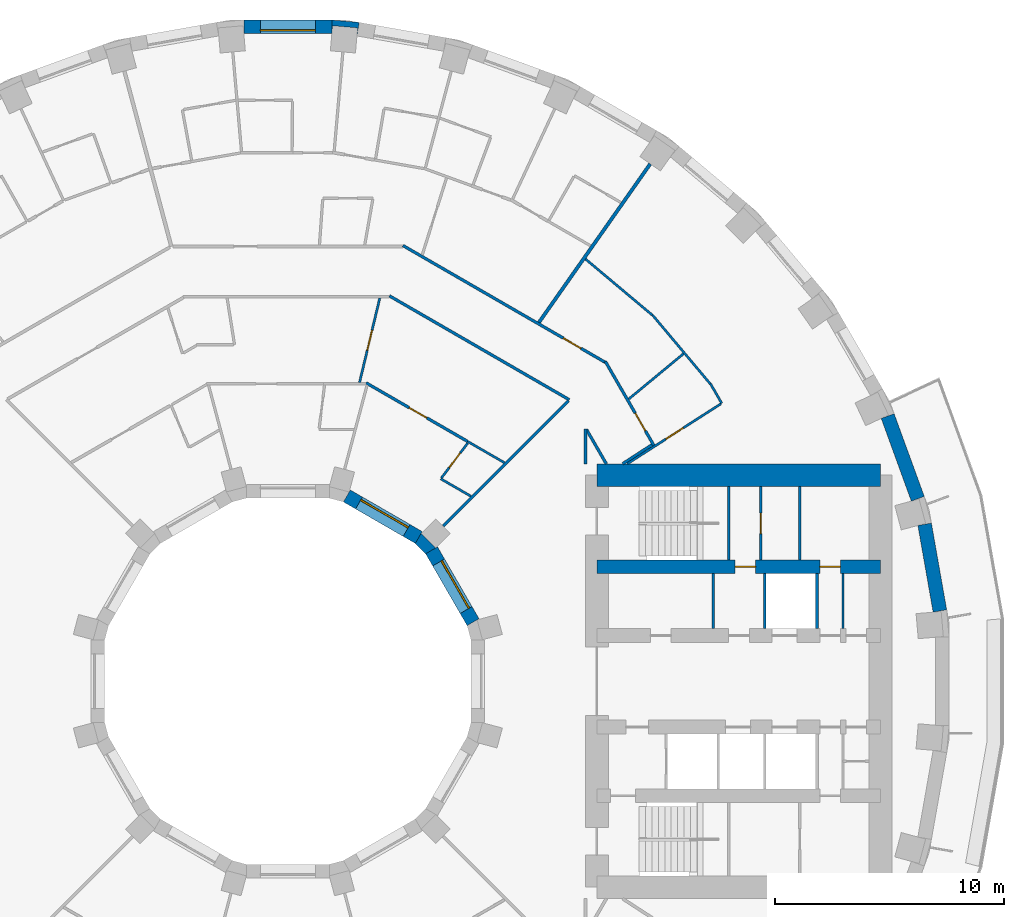
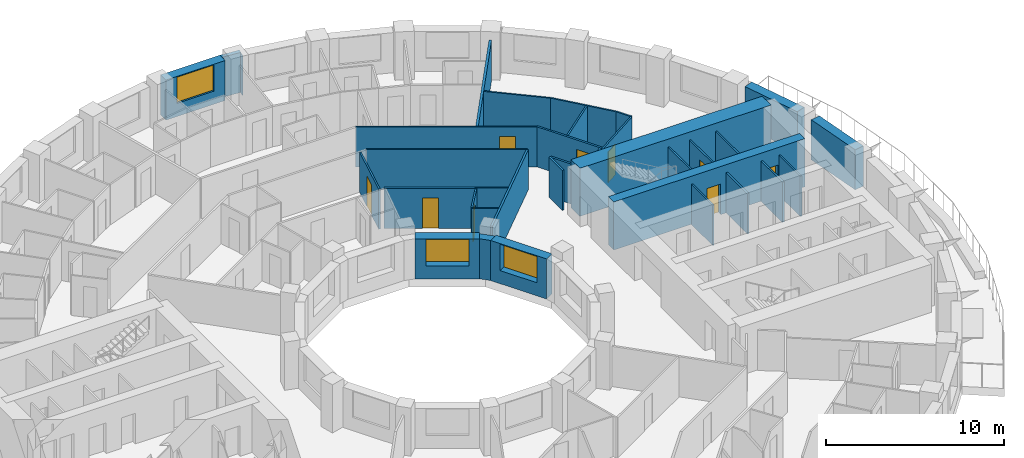
# One storey, part 11 of 14: 34 walls, 9 doors, 3 windows, 12 openings.
"""IFC4 building model written with IfcOpenShell, lengths in metres."""

from ifc_helpers import new_model, si_unit, direction, frame, frame_2d, origin, place, context, subcontext, project, spatial, polyline, rectangle, outline, extrude, material, layer, layer_set, type_object, element, fill, save


model = new_model("IFC4")

# Units and contexts
model_context = context("Model", 3, precision=1e-05, world=origin(), true_north=direction((0.0, 1.0)))
body_context = subcontext(model_context, "Body", "Model", "MODEL_VIEW")
ifc_project = project(units=[si_unit("LENGTHUNIT", "METRE"), si_unit("AREAUNIT", "SQUARE_METRE"), si_unit("VOLUMEUNIT", "CUBIC_METRE"), si_unit("PLANEANGLEUNIT", "RADIAN"), si_unit("MASSUNIT", "GRAM", prefix="KILO")], contexts=[model_context])

# Site, building, storey
site_placement = place(None, origin())
site = spatial("IfcSite", under=ifc_project, at=site_placement, CompositionType="ELEMENT")
building_placement = place(site_placement, origin())
building = spatial("IfcBuilding", under=site, at=building_placement, Name="Saqina Gate Tower", CompositionType="ELEMENT")
storey_placement = place(building_placement, frame((0.0, 0.0, 46.10009765625)))
storey = spatial("IfcBuildingStorey", under=building, at=storey_placement, Name="L12", CompositionType="ELEMENT", Elevation=46.10009765625)

# Walls
ifc_material_1 = material(Name="Brick masonry (red)", Category="masonry")
wall_type_1 = type_object("IfcWallType", Name="BRICK PIER COPING RED", PredefinedType="SOLIDWALL", material=ifc_material_1)
wall_1_placement = place(storey_placement, origin())
element("IfcWall", 1, at=wall_1_placement, inside=storey, type_object=wall_type_1, Name="Pier cap L12 column 9", PredefinedType="SOLIDWALL", context=body_context, shape_type="SweptSolid", body=[
    extrude(outline(polyline([(3.122802734375, 28.78466796875), (1.9228515625, 28.8896484375), (1.9228515625, 28.28955078125), (1.95361328125, 28.638671875), (3.04931640625, 28.54296875), (3.018798828125, 28.19384765625), (3.122802734375, 28.78466796875)])), origin(), (0.0, 0.0, 1.0), 2.75),
])
ifc_material_2 = material(Name="Gypsum board on steel studs", Category="steel")
ifc_layer_1 = layer(ifc_material_2, 0.10009765625)
ifc_layer_set_1 = layer_set([ifc_layer_1], Name="CORE PARTITION")
wall_type_2 = type_object("IfcWallType", Name="CORE PARTITION", PredefinedType="PARTITIONING", material=ifc_layer_set_1)
for number, where, z_axis, x_axis, name in (
    (2, (18.582763671875, 2.300048828125, 0.0), (0.0, 0.0, 1.0), (0.0, 1.0, 0.0), "L12-CP-E01"),
    (3, (24.260009765625, 2.300048828125, 0.0), (0.0, 0.0, 1.0), (0.0, 1.0, 0.0), "L12-CP-E04"),
):
    element("IfcWall", number, at=place(storey_placement, frame(where, z_axis=z_axis, x_axis=x_axis)), inside=storey, type_object=wall_type_2, Name=name, PredefinedType="PARTITIONING", context=body_context, shape_type="SweptSolid", body=[
        extrude(rectangle(XDim=2.39990234375, YDim=0.10009765625, at=frame_2d((1.199951171875, 0.0))), origin(), (0.0, 0.0, 1.0), 2.75),
    ])

# Wall, opening, door
wall_2_placement = place(storey_placement, frame((20.65771484375, 5.300048828125, 0.0), z_axis=(0.0, 0.0, 1.0), x_axis=(0.0, 1.0, 0.0)))
wall_2 = element("IfcWall", 4, at=wall_2_placement, inside=storey, type_object=wall_type_2, Name="L12-CP-E12", PredefinedType="PARTITIONING", context=body_context, shape_type="SweptSolid", body=[
    extrude(rectangle(XDim=3.199951171875, YDim=0.10009765625, at=frame_2d((1.60009765625, 0.0))), origin(), (0.0, 0.0, 1.0), 2.75),
])
opening_1_placement = place(wall_2_placement, frame((1.14990234375, 0.0, 0.0)))
opening_1 = element("IfcOpeningElement", 5, at=opening_1_placement, cuts=wall_2, Name="Opening G03-D97", PredefinedType="OPENING", context=body_context, shape_type="SweptSolid", body=[
    extrude(rectangle(XDim=0.89990234375, YDim=2.10009765625, at=frame_2d((0.449951171875, 1.050048828125))), frame((0.0, 0.06201171875, 0.0), z_axis=(0.0, -1.0, 0.0), x_axis=(1.0, 0.0, 0.0)), (0.0, 0.0, 1.0), 0.1240234375),
])
ifc_material_3 = material(Name="Steel-framed fire door leaf, EI 60", Category="steel")
door_type_1 = type_object("IfcDoorType", Name="SERVICE ROOM DOOR 900", OperationType="SINGLE_SWING_LEFT", PredefinedType="DOOR", material=ifc_material_3)
door_1_placement = place(opening_1_placement, frame((0.89990234375, 0.0, 0.0), z_axis=(0.0, 0.0, 1.0), x_axis=(-1.0, 0.0, 0.0)))
door_1 = element("IfcDoor", 6, at=door_1_placement, inside=storey, type_object=door_type_1, Name="L12-CD-E08", OperationType="SINGLE_SWING_RIGHT", OverallHeight=2.10009765625, OverallWidth=0.89990234375, PredefinedType="DOOR", context=body_context, shape_type="SweptSolid", body=[
    extrude(rectangle(XDim=0.89990234375, YDim=2.10009765625, at=frame_2d((0.449951171875, 1.050048828125))), frame((0.0, 0.02490234375, 0.0), z_axis=(0.0, -1.0, 0.0), x_axis=(1.0, 0.0, 0.0)), (0.0, 0.0, 1.0), 0.050048828125),
])
fill(opening_1, door_1)

# Wall
wall_3_placement = place(storey_placement, frame((22.360107421875, 5.300048828125, 0.0), z_axis=(0.0, 0.0, 1.0), x_axis=(0.0, 1.0, 0.0)))
element("IfcWall", 7, at=wall_3_placement, inside=storey, type_object=wall_type_2, Name="L12-CP-E13", PredefinedType="PARTITIONING", context=body_context, shape_type="SweptSolid", body=[
    extrude(rectangle(XDim=3.199951171875, YDim=0.10009765625, at=frame_2d((1.60009765625, 0.0))), origin(), (0.0, 0.0, 1.0), 2.75),
])

# Wall, opening, window
ifc_material_4 = material(Name="Brick masonry (red)", Category="masonry")
ifc_layer_2 = layer(ifc_material_4, 0.60009765625)
ifc_layer_set_2 = layer_set([ifc_layer_2], Name="FW-BRICK-RED")
wall_type_3 = type_object("IfcWallType", Name="FW-BRICK-RED", PredefinedType="SOLIDWALL", material=ifc_layer_set_2)
wall_4_placement = place(storey_placement, frame((1.9228515625, 28.589599609375, 0.0), z_axis=(0.0, 0.0, 1.0), x_axis=(-1.0, 0.0, 0.0)))
wall_4 = element("IfcWall", 8, at=wall_4_placement, inside=storey, type_object=wall_type_3, Name="Facade wall L12 facet 9", PredefinedType="SOLIDWALL", context=body_context, shape_type="SweptSolid", body=[
    extrude(rectangle(XDim=3.845703125, YDim=0.60009765625, at=frame_2d((1.9228515625, 0.0))), origin(), (0.0, 0.0, 1.0), 2.75),
])
opening_2_placement = place(wall_4_placement, frame((0.722900390625, 0.0, 0.89990234375)))
opening_2 = element("IfcOpeningElement", 9, at=opening_2_placement, cuts=wall_4, Name="Opening G03-W07", PredefinedType="OPENING", context=body_context, shape_type="SweptSolid", body=[
    extrude(rectangle(XDim=2.39990234375, YDim=1.800048828125, at=frame_2d((1.199951171875, 0.89990234375))), frame((0.0, 0.31201171875, 0.0), z_axis=(0.0, -1.0, 0.0), x_axis=(1.0, 0.0, 0.0)), (0.0, 0.0, 1.0), 0.6240234375),
])
ifc_material_5 = material(Name="Aluminium glazing", Category="aluminium")
window_type_1 = type_object("IfcWindowType", Name="WN-A", PartitioningType="SINGLE_PANEL", PredefinedType="WINDOW", material=ifc_material_5)
window_1_placement = place(opening_2_placement, origin())
window_1 = element("IfcWindow", 10, at=window_1_placement, inside=storey, type_object=window_type_1, Name="Window L12 facet 9", OverallHeight=1.800048828125, OverallWidth=2.39990234375, PartitioningType="SINGLE_PANEL", PredefinedType="WINDOW", context=body_context, shape_type="SweptSolid", body=[
    extrude(rectangle(XDim=2.39990234375, YDim=1.800048828125, at=frame_2d((1.199951171875, 0.89990234375))), frame((0.0, 0.179931640625, 0.0), z_axis=(0.0, -1.0, 0.0), x_axis=(1.0, 0.0, 0.0)), (0.0, 0.0, 1.0), 0.06005859375),
])
fill(opening_2, window_1)

# Walls
ifc_material_6 = material(Name="Glazed ceramic tile", Category="ceramic")
ifc_layer_3 = layer(ifc_material_6, 0.60009765625)
ifc_layer_set_3 = layer_set([ifc_layer_3], Name="FW-TILE")
wall_type_4 = type_object("IfcWallType", Name="FW-TILE", PredefinedType="SOLIDWALL", material=ifc_layer_set_3)
wall_5_placement = place(storey_placement, frame((28.4892578125, 3.07080078125, 0.0), z_axis=(0.0, 0.0, 1.0), x_axis=(-0.173687553279, 0.984800809218, 0.0)))
element("IfcWall", 11, at=wall_5_placement, inside=storey, type_object=wall_type_4, Name="Facade wall L12 facet 1", PredefinedType="SOLIDWALL", context=body_context, shape_type="SweptSolid", body=[
    extrude(rectangle(XDim=3.845703125, YDim=0.60009765625, at=frame_2d((1.9228515625, 0.0))), origin(), (0.0, 0.0, 1.0), 2.75),
])
ifc_material_7 = material(Name="Glazed ceramic tile (dark blue)", Category="ceramic")
ifc_layer_4 = layer(ifc_material_7, 0.60009765625)
ifc_layer_set_4 = layer_set([ifc_layer_4], Name="FW-TILE-CB")
wall_type_5 = type_object("IfcWallType", Name="FW-TILE-CB", PredefinedType="SOLIDWALL", material=ifc_layer_set_4)
wall_6_placement = place(storey_placement, frame((27.523193359375, 7.97119140625, 0.0), z_axis=(0.0, 0.0, 1.0), x_axis=(-0.342028474173, 0.939689588564, 0.0)))
element("IfcWall", 12, at=wall_6_placement, inside=storey, type_object=wall_type_5, Name="Facade wall L12 facet 2", PredefinedType="SOLIDWALL", context=body_context, shape_type="SweptSolid", body=[
    extrude(rectangle(XDim=3.845947265625, YDim=0.60009765625, at=frame_2d((1.9228515625, 0.0))), origin(), (0.0, 0.0, 1.0), 2.75),
])

# Wall, opening, window
ifc_material_8 = material(Name="Glazed ceramic tile", Category="ceramic")
ifc_layer_5 = layer(ifc_material_8, 0.60009765625)
ifc_layer_set_5 = layer_set([ifc_layer_5], Name="IW-TILE")
wall_type_6 = type_object("IfcWallType", Name="IW-TILE", PredefinedType="SOLIDWALL", material=ifc_layer_set_5)
wall_7_placement = place(storey_placement, frame((8.09423828125, 2.580322265625, 0.0), z_axis=(0.0, 0.0, 1.0), x_axis=(-0.499992569217, 0.866029693906, 0.0)))
wall_7 = element("IfcWall", 13, at=wall_7_placement, inside=storey, type_object=wall_type_6, Name="Well wall L12 facet 1", PredefinedType="SOLIDWALL", context=body_context, shape_type="SweptSolid", body=[
    extrude(rectangle(XDim=3.625, YDim=0.60009765625, at=frame_2d((1.8125, 0.0))), origin(), (0.0, 0.0, 1.0), 2.75),
])
opening_3_placement = place(wall_7_placement, frame((0.612548828125, 0.0, 0.89990234375)))
opening_3 = element("IfcOpeningElement", 14, at=opening_3_placement, cuts=wall_7, Name="Opening G03-W26", PredefinedType="OPENING", context=body_context, shape_type="SweptSolid", body=[
    extrude(rectangle(XDim=2.39990234375, YDim=1.800048828125, at=frame_2d((1.199951171875, 0.89990234375))), frame((0.0, 0.31201171875, 0.0), z_axis=(0.0, -1.0, 0.0), x_axis=(1.0, 0.0, 0.0)), (0.0, 0.0, 1.0), 0.6240234375),
])
ifc_material_9 = material(Name="Aluminium glazing", Category="aluminium")
window_type_2 = type_object("IfcWindowType", Name="WN-W", PartitioningType="SINGLE_PANEL", PredefinedType="WINDOW", material=ifc_material_9)
window_2_placement = place(opening_3_placement, origin())
window_2 = element("IfcWindow", 15, at=window_2_placement, inside=storey, type_object=window_type_2, Name="Well window L12 facet 1", OverallHeight=1.800048828125, OverallWidth=2.39990234375, PartitioningType="SINGLE_PANEL", PredefinedType="WINDOW", context=body_context, shape_type="SweptSolid", body=[
    extrude(rectangle(XDim=2.39990234375, YDim=1.800048828125, at=frame_2d((1.199951171875, 0.89990234375))), frame((0.0, -0.119873046875, 0.0), z_axis=(0.0, -1.0, 0.0), x_axis=(1.0, 0.0, 0.0)), (0.0, 0.0, 1.0), 0.06005859375),
])
fill(opening_3, window_2)

wall_8_placement = place(storey_placement, frame((5.7197265625, 6.28173828125, 0.0), z_axis=(0.0, 0.0, 1.0), x_axis=(-0.866029693906, 0.499992569217, 0.0)))
wall_8 = element("IfcWall", 16, at=wall_8_placement, inside=storey, type_object=wall_type_6, Name="Well wall L12 facet 2", PredefinedType="SOLIDWALL", context=body_context, shape_type="SweptSolid", body=[
    extrude(rectangle(XDim=3.625, YDim=0.60009765625, at=frame_2d((1.8125, 0.0))), origin(), (0.0, 0.0, 1.0), 2.75),
])
opening_4_placement = place(wall_8_placement, frame((0.612548828125, 0.0, 0.89990234375)))
opening_4 = element("IfcOpeningElement", 17, at=opening_4_placement, cuts=wall_8, Name="Opening G03-W27", PredefinedType="OPENING", context=body_context, shape_type="SweptSolid", body=[
    extrude(rectangle(XDim=2.39990234375, YDim=1.800048828125, at=frame_2d((1.199951171875, 0.89990234375))), frame((0.0, 0.31201171875, 0.0), z_axis=(0.0, -1.0, 0.0), x_axis=(1.0, 0.0, 0.0)), (0.0, 0.0, 1.0), 0.6240234375),
])
window_3_placement = place(opening_4_placement, origin())
window_3 = element("IfcWindow", 18, at=window_3_placement, inside=storey, type_object=window_type_2, Name="Well window L12 facet 2", OverallHeight=1.800048828125, OverallWidth=2.39990234375, PartitioningType="SINGLE_PANEL", PredefinedType="WINDOW", context=body_context, shape_type="SweptSolid", body=[
    extrude(rectangle(XDim=2.39990234375, YDim=1.800048828125, at=frame_2d((1.199951171875, 0.89990234375))), frame((0.0, -0.119873046875, 0.0), z_axis=(0.0, -1.0, 0.0), x_axis=(1.0, 0.0, 0.0)), (0.0, 0.0, 1.0), 0.06005859375),
])
fill(opening_4, window_3)

# Walls
ifc_material_10 = material(Name="Gypsum board on steel studs, 100 mm", Category="steel")
ifc_layer_6 = layer(ifc_material_10, 0.10009765625)
ifc_layer_set_6 = layer_set([ifc_layer_6], Name="PARTITION 100")
wall_type_7 = type_object("IfcWallType", Name="PARTITION 100", PredefinedType="PARTITIONING", material=ifc_layer_set_6)
wall_9_placement = place(storey_placement, frame((18.468017578125, 12.9931640625, 0.0), z_axis=(0.0, 0.0, 1.0), x_axis=(0.499060839642, -0.866566949713, 0.0)))
element("IfcWall", 19, at=wall_9_placement, inside=storey, type_object=wall_type_7, Name="PARTITION PW3-20", PredefinedType="PARTITIONING", context=body_context, shape_type="SweptSolid", body=[
    extrude(rectangle(XDim=0.97998046875, YDim=0.10009765625, at=frame_2d((0.489990234375, 0.0))), origin(), (0.0, 0.0, 1.0), 2.75),
])
wall_10_placement = place(storey_placement, frame((15.930419921875, 16.001953125, 0.0), z_axis=(0.0, 0.0, 1.0), x_axis=(0.642925836876, -0.76592843548, 0.0)))
element("IfcWall", 20, at=wall_10_placement, inside=storey, type_object=wall_type_7, Name="PARTITION PW3-31", PredefinedType="PARTITIONING", context=body_context, shape_type="SweptSolid", body=[
    extrude(rectangle(XDim=3.93603515625, YDim=0.10009765625, at=frame_2d((1.968017578125, 0.0))), origin(), (0.0, 0.0, 1.0), 2.75),
])
wall_11_placement = place(storey_placement, frame((13.00634765625, 18.44482421875, 0.0), z_axis=(0.0, 0.0, 1.0), x_axis=(0.765937067023, -0.642915553832, 0.0)))
element("IfcWall", 21, at=wall_11_placement, inside=storey, type_object=wall_type_7, Name="PARTITION PW3-40", PredefinedType="PARTITIONING", context=body_context, shape_type="SweptSolid", body=[
    extrude(rectangle(XDim=3.810302734375, YDim=0.10009765625, at=frame_2d((1.9052734375, 0.0))), origin(), (0.0, 0.0, 1.0), 2.75),
])
wall_12_placement = place(storey_placement, frame((6.680908203125, 8.843994140625, 0.0), z_axis=(0.0, 0.0, 1.0), x_axis=(0.866340515316, -0.499453813202, 0.0)))
element("IfcWall", 22, at=wall_12_placement, inside=storey, type_object=wall_type_7, Name="PARTITION PW3-48", PredefinedType="PARTITIONING", context=body_context, shape_type="SweptSolid", body=[
    extrude(rectangle(XDim=1.521240234375, YDim=0.10009765625, at=frame_2d((0.7607421875, 0.0))), origin(), (0.0, 0.0, 1.0), 2.75),
])
wall_13_placement = place(storey_placement, frame((7.852783203125, 10.47802734375, 0.0), z_axis=(0.0, 0.0, 1.0), x_axis=(0.866004081989, -0.500036928615, 0.0)))
element("IfcWall", 23, at=wall_13_placement, inside=storey, type_object=wall_type_7, Name="PARTITION PW3-49", PredefinedType="PARTITIONING", context=body_context, shape_type="SweptSolid", body=[
    extrude(rectangle(XDim=1.859130859375, YDim=0.10009765625, at=frame_2d((0.9296875, 0.0))), origin(), (0.0, 0.0, 1.0), 2.75),
])

# Wall, opening, door
wall_14_placement = place(storey_placement, frame((14.830078125, 9.5, 0.0), z_axis=(0.0, 0.0, 1.0), x_axis=(0.842016302485, 0.539452079752, 0.0)))
wall_14 = element("IfcWall", 24, at=wall_14_placement, inside=storey, type_object=wall_type_7, Name="PARTITION PW3-89", PredefinedType="PARTITIONING", context=body_context, shape_type="SweptSolid", body=[
    extrude(rectangle(XDim=4.85107421875, YDim=0.10009765625, at=frame_2d((2.425537109375, 0.0))), origin(), (0.0, 0.0, 1.0), 2.75),
])
opening_5_placement = place(wall_14_placement, frame((2.000732421875, 0.0, 0.0)))
opening_5 = element("IfcOpeningElement", 25, at=opening_5_placement, cuts=wall_14, Name="Opening G03-D01", PredefinedType="OPENING", context=body_context, shape_type="SweptSolid", body=[
    extrude(rectangle(XDim=0.89990234375, YDim=2.10009765625, at=frame_2d((0.449951171875, 1.050048828125))), frame((0.0, 0.06201171875, 0.0), z_axis=(0.0, -1.0, 0.0), x_axis=(1.0, 0.0, 0.0)), (0.0, 0.0, 1.0), 0.1240234375),
])
ifc_material_11 = material(Name="Timber door leaf, 900 mm", Category="wood")
door_type_2 = type_object("IfcDoorType", Name="DOOR 900 TIMBER", OperationType="SINGLE_SWING_LEFT", PredefinedType="DOOR", material=ifc_material_11)
door_2_placement = place(opening_5_placement, frame((0.89990234375, 0.0, 0.0), z_axis=(0.0, 0.0, 1.0), x_axis=(-1.0, 0.0, 0.0)))
door_2 = element("IfcDoor", 26, at=door_2_placement, inside=storey, type_object=door_type_2, Name="DOOR G03-D01", OperationType="SINGLE_SWING_RIGHT", OverallHeight=2.10009765625, OverallWidth=0.89990234375, PredefinedType="DOOR", context=body_context, shape_type="SweptSolid", body=[
    extrude(rectangle(XDim=0.89990234375, YDim=2.10009765625, at=frame_2d((0.449951171875, 1.050048828125))), frame((0.0, 0.02490234375, 0.0), z_axis=(0.0, -1.0, 0.0), x_axis=(1.0, 0.0, 0.0)), (0.0, 0.0, 1.0), 0.050048828125),
])
fill(opening_5, door_2)

# Wall
wall_15_placement = place(storey_placement, frame((14.89306640625, 12.327880859375, 0.0), z_axis=(0.0, 0.0, 1.0), x_axis=(0.770464868695, 0.63748245945, 0.0)))
element("IfcWall", 27, at=wall_15_placement, inside=storey, type_object=wall_type_7, Name="PARTITION PW3-91", PredefinedType="PARTITIONING", context=body_context, shape_type="SweptSolid", body=[
    extrude(rectangle(XDim=3.106201171875, YDim=0.10009765625, at=frame_2d((1.55322265625, 0.0))), origin(), (0.0, 0.0, 1.0), 2.75),
])

# Wall, opening, door
wall_16_placement = place(storey_placement, frame((6.711181640625, 8.8837890625, 0.0), z_axis=(0.0, 0.0, 1.0), x_axis=(0.602602666336, 0.798041368931, 0.0)))
wall_16 = element("IfcWall", 28, at=wall_16_placement, inside=storey, type_object=wall_type_7, Name="PARTITION PW3-105", PredefinedType="PARTITIONING", context=body_context, shape_type="SweptSolid", body=[
    extrude(rectangle(XDim=1.90380859375, YDim=0.10009765625, at=frame_2d((0.951904296875, 0.0))), origin(), (0.0, 0.0, 1.0), 2.75),
])
opening_6_placement = place(wall_16_placement, frame((0.55810546875, 0.0, 0.0)))
opening_6 = element("IfcOpeningElement", 29, at=opening_6_placement, cuts=wall_16, Name="Opening G03-D04", PredefinedType="OPENING", context=body_context, shape_type="SweptSolid", body=[
    extrude(rectangle(XDim=0.800048828125, YDim=2.10009765625, at=frame_2d((0.39990234375, 1.050048828125))), frame((0.0, 0.06201171875, 0.0), z_axis=(0.0, -1.0, 0.0), x_axis=(1.0, 0.0, 0.0)), (0.0, 0.0, 1.0), 0.1240234375),
])
ifc_material_12 = material(Name="Timber door leaf, 800 mm", Category="wood")
door_type_3 = type_object("IfcDoorType", Name="DOOR 800 TIMBER", OperationType="SINGLE_SWING_LEFT", PredefinedType="DOOR", material=ifc_material_12)
door_3_placement = place(opening_6_placement, origin())
door_3 = element("IfcDoor", 30, at=door_3_placement, inside=storey, type_object=door_type_3, Name="DOOR G03-D04", OperationType="SINGLE_SWING_RIGHT", OverallHeight=2.10009765625, OverallWidth=0.800048828125, PredefinedType="DOOR", context=body_context, shape_type="SweptSolid", body=[
    extrude(rectangle(XDim=0.800048828125, YDim=2.10009765625, at=frame_2d((0.39990234375, 1.050048828125))), frame((0.0, 0.02490234375, 0.0), z_axis=(0.0, -1.0, 0.0), x_axis=(1.0, 0.0, 0.0)), (0.0, 0.0, 1.0), 0.050048828125),
])
fill(opening_6, door_3)

wall_17_placement = place(storey_placement, frame((3.132568359375, 13.048583984375, 0.0), z_axis=(0.0, 0.0, 1.0), x_axis=(0.233368086801, 0.972388469729, 0.0)))
wall_17 = element("IfcWall", 31, at=wall_17_placement, inside=storey, type_object=wall_type_7, Name="PARTITION PW3-121", PredefinedType="PARTITIONING", context=body_context, shape_type="SweptSolid", body=[
    extrude(rectangle(XDim=3.79541015625, YDim=0.10009765625, at=frame_2d((1.897705078125, 0.0))), origin(), (0.0, 0.0, 1.0), 2.75),
])
opening_7_placement = place(wall_17_placement, frame((1.4541015625, 0.0, 0.0)))
opening_7 = element("IfcOpeningElement", 32, at=opening_7_placement, cuts=wall_17, Name="Opening G03-D11", PredefinedType="OPENING", context=body_context, shape_type="SweptSolid", body=[
    extrude(rectangle(XDim=0.89990234375, YDim=2.10009765625, at=frame_2d((0.449951171875, 1.050048828125))), frame((0.0, 0.06201171875, 0.0), z_axis=(0.0, -1.0, 0.0), x_axis=(1.0, 0.0, 0.0)), (0.0, 0.0, 1.0), 0.1240234375),
])
door_4_placement = place(opening_7_placement, origin())
door_4 = element("IfcDoor", 33, at=door_4_placement, inside=storey, type_object=door_type_2, Name="DOOR G03-D11", OperationType="SINGLE_SWING_RIGHT", OverallHeight=2.10009765625, OverallWidth=0.89990234375, PredefinedType="DOOR", context=body_context, shape_type="SweptSolid", body=[
    extrude(rectangle(XDim=0.89990234375, YDim=2.10009765625, at=frame_2d((0.449951171875, 1.050048828125))), frame((0.0, 0.02490234375, 0.0), z_axis=(0.0, -1.0, 0.0), x_axis=(1.0, 0.0, 0.0)), (0.0, 0.0, 1.0), 0.050048828125),
])
fill(opening_7, door_4)

# Wall
ifc_material_13 = material(Name="Gypsum board on steel studs, 125 mm, fire rated", Category="steel")
ifc_layer_7 = layer(ifc_material_13, 0.125)
ifc_layer_set_7 = layer_set([ifc_layer_7], Name="PARTITION EI 30 125")
wall_type_8 = type_object("IfcWallType", Name="PARTITION EI 30 125", PredefinedType="PARTITIONING", material=ifc_layer_set_7)
wall_18_placement = place(storey_placement, frame((13.044921875, 11.005126953125, 0.0), z_axis=(0.0, 0.0, 1.0), x_axis=(0.500066958712, -0.865986741702, 0.0)))
element("IfcWall", 34, at=wall_18_placement, inside=storey, type_object=wall_type_8, Name="PARTITION PW1-03", PredefinedType="PARTITIONING", context=body_context, shape_type="SweptSolid", body=[
    extrude(rectangle(XDim=1.738037109375, YDim=0.125, at=frame_2d((0.869140625, 0.0))), origin(), (0.0, 0.0, 1.0), 2.75),
])

# Wall, opening, door
wall_19_placement = place(storey_placement, frame((13.872802734375, 13.971435546875, 0.0), z_axis=(0.0, 0.0, 1.0), x_axis=(0.500056722401, -0.865992652614, 0.0)))
wall_19 = element("IfcWall", 35, at=wall_19_placement, inside=storey, type_object=wall_type_8, Name="PARTITION PW1-04", PredefinedType="PARTITIONING", context=body_context, shape_type="SweptSolid", body=[
    extrude(rectangle(XDim=4.23583984375, YDim=0.125, at=frame_2d((2.117919921875, 0.0))), origin(), (0.0, 0.0, 1.0), 2.75),
])
opening_8_placement = place(wall_19_placement, frame((2.60595703125, 0.0, 0.0)))
opening_8 = element("IfcOpeningElement", 36, at=opening_8_placement, cuts=wall_19, Name="Opening G03-D02", PredefinedType="OPENING", context=body_context, shape_type="SweptSolid", body=[
    extrude(rectangle(XDim=0.89990234375, YDim=2.10009765625, at=frame_2d((0.449951171875, 1.050048828125))), frame((0.0, 0.074462890625, 0.0), z_axis=(0.0, -1.0, 0.0), x_axis=(1.0, 0.0, 0.0)), (0.0, 0.0, 1.0), 0.14892578125),
])
ifc_material_14 = material(Name="Fire door leaf EI 30, 900 mm")
door_type_4 = type_object("IfcDoorType", Name="DOOR 900 EI 30", OperationType="SINGLE_SWING_LEFT", PredefinedType="DOOR", material=ifc_material_14)
door_5_placement = place(opening_8_placement, origin())
door_5 = element("IfcDoor", 37, at=door_5_placement, inside=storey, type_object=door_type_4, Name="DOOR G03-D02", OperationType="SINGLE_SWING_RIGHT", OverallHeight=2.10009765625, OverallWidth=0.89990234375, PredefinedType="DOOR", context=body_context, shape_type="SweptSolid", body=[
    extrude(rectangle(XDim=0.89990234375, YDim=2.10009765625, at=frame_2d((0.449951171875, 1.050048828125))), frame((0.0, 0.02490234375, 0.0), z_axis=(0.0, -1.0, 0.0), x_axis=(1.0, 0.0, 0.0)), (0.0, 0.0, 1.0), 0.050048828125),
])
fill(opening_8, door_5)

wall_20_placement = place(storey_placement, frame((3.42041015625, 13.0361328125, 0.0), z_axis=(0.0, 0.0, 1.0), x_axis=(0.86610376991, -0.499864241317, 0.0)))
wall_20 = element("IfcWall", 38, at=wall_20_placement, inside=storey, type_object=wall_type_8, Name="PARTITION PW1-15", PredefinedType="PARTITIONING", context=body_context, shape_type="SweptSolid", body=[
    extrude(rectangle(XDim=5.11767578125, YDim=0.125, at=frame_2d((2.558837890625, 0.0))), origin(), (0.0, 0.0, 1.0), 2.75),
])
opening_9_placement = place(wall_20_placement, frame((2.169921875, 0.0, 0.0)))
opening_9 = element("IfcOpeningElement", 39, at=opening_9_placement, cuts=wall_20, Name="Opening G03-D07", PredefinedType="OPENING", context=body_context, shape_type="SweptSolid", body=[
    extrude(rectangle(XDim=0.89990234375, YDim=2.10009765625, at=frame_2d((0.449951171875, 1.050048828125))), frame((0.0, 0.074462890625, 0.0), z_axis=(0.0, -1.0, 0.0), x_axis=(1.0, 0.0, 0.0)), (0.0, 0.0, 1.0), 0.14892578125),
])
door_6_placement = place(opening_9_placement, origin())
door_6 = element("IfcDoor", 40, at=door_6_placement, inside=storey, type_object=door_type_4, Name="DOOR G03-D07", OperationType="SINGLE_SWING_RIGHT", OverallHeight=2.10009765625, OverallWidth=0.89990234375, PredefinedType="DOOR", context=body_context, shape_type="SweptSolid", body=[
    extrude(rectangle(XDim=0.89990234375, YDim=2.10009765625, at=frame_2d((0.449951171875, 1.050048828125))), frame((0.0, 0.02490234375, 0.0), z_axis=(0.0, -1.0, 0.0), x_axis=(1.0, 0.0, 0.0)), (0.0, 0.0, 1.0), 0.050048828125),
])
fill(opening_9, door_6)

# Wall
wall_21_placement = place(storey_placement, frame((4.439453125, 16.836181640625, 0.0), z_axis=(0.0, 0.0, 1.0), x_axis=(0.865982621983, -0.500074092933, 0.0)))
element("IfcWall", 41, at=wall_21_placement, inside=storey, type_object=wall_type_8, Name="PARTITION PW1-16", PredefinedType="PARTITIONING", context=body_context, shape_type="SweptSolid", body=[
    extrude(rectangle(XDim=9.07470703125, YDim=0.125, at=frame_2d((4.537353515625, 0.0))), origin(), (0.0, 0.0, 1.0), 2.75),
])

# Wall, opening, door
wall_22_placement = place(storey_placement, frame((5.028564453125, 19.0361328125, 0.0), z_axis=(0.0, 0.0, 1.0), x_axis=(0.866024825845, -0.50000100102, 0.0)))
wall_22 = element("IfcWall", 42, at=wall_22_placement, inside=storey, type_object=wall_type_8, Name="PARTITION PW1-17", PredefinedType="PARTITIONING", context=body_context, shape_type="SweptSolid", body=[
    extrude(rectangle(XDim=10.19189453125, YDim=0.125, at=frame_2d((5.095947265625, 0.0))), origin(), (0.0, 0.0, 1.0), 2.75),
])
opening_10_placement = place(wall_22_placement, frame((8.090087890625, 0.0, 0.0)))
opening_10 = element("IfcOpeningElement", 43, at=opening_10_placement, cuts=wall_22, Name="Opening G03-D03", PredefinedType="OPENING", context=body_context, shape_type="SweptSolid", body=[
    extrude(rectangle(XDim=0.89990234375, YDim=2.10009765625, at=frame_2d((0.449951171875, 1.050048828125))), frame((0.0, 0.074462890625, 0.0), z_axis=(0.0, -1.0, 0.0), x_axis=(1.0, 0.0, 0.0)), (0.0, 0.0, 1.0), 0.14892578125),
])
door_7_placement = place(opening_10_placement, origin())
door_7 = element("IfcDoor", 44, at=door_7_placement, inside=storey, type_object=door_type_4, Name="DOOR G03-D03", OperationType="SINGLE_SWING_RIGHT", OverallHeight=2.10009765625, OverallWidth=0.89990234375, PredefinedType="DOOR", context=body_context, shape_type="SweptSolid", body=[
    extrude(rectangle(XDim=0.89990234375, YDim=2.10009765625, at=frame_2d((0.449951171875, 1.050048828125))), frame((0.0, 0.02490234375, 0.0), z_axis=(0.0, -1.0, 0.0), x_axis=(1.0, 0.0, 0.0)), (0.0, 0.0, 1.0), 0.050048828125),
])
fill(opening_10, door_7)

# Walls
wall_23_placement = place(storey_placement, frame((14.62890625, 9.5, 0.0), z_axis=(0.0, 0.0, 1.0), x_axis=(0.83882853689, 0.544395706908, 0.0)))
element("IfcWall", 45, at=wall_23_placement, inside=storey, type_object=wall_type_8, Name="PARTITION PW1-43", PredefinedType="PARTITIONING", context=body_context, shape_type="SweptSolid", body=[
    extrude(rectangle(XDim=1.520751953125, YDim=0.125, at=frame_2d((0.76025390625, 0.0))), origin(), (0.0, 0.0, 1.0), 2.75),
])
wall_24_placement = place(storey_placement, frame((6.78271484375, 6.78271484375, 0.0), z_axis=(0.0, 0.0, 1.0), x_axis=(0.707106781187, 0.707106781187, 0.0)))
element("IfcWall", 46, at=wall_24_placement, inside=storey, type_object=wall_type_8, Name="PARTITION PW1-48", PredefinedType="PARTITIONING", context=body_context, shape_type="SweptSolid", body=[
    extrude(rectangle(XDim=7.737548828125, YDim=0.125, at=frame_2d((3.86865234375, 0.0))), origin(), (0.0, 0.0, 1.0), 2.75),
])
wall_25_placement = place(storey_placement, frame((13.0, 9.5, 0.0), z_axis=(0.0, 0.0, 1.0), x_axis=(0.0, 1.0, 0.0)))
element("IfcWall", 47, at=wall_25_placement, inside=storey, type_object=wall_type_8, Name="PARTITION PW1-57", PredefinedType="PARTITIONING", context=body_context, shape_type="SweptSolid", body=[
    extrude(rectangle(XDim=1.5205078125, YDim=0.125, at=frame_2d((0.76025390625, 0.0))), origin(), (0.0, 0.0, 1.0), 2.75),
])
ifc_material_15 = material(Name="Gypsum board on steel studs, 150 mm, fire rated", Category="steel")
ifc_layer_8 = layer(ifc_material_15, 0.14990234375)
ifc_layer_set_8 = layer_set([ifc_layer_8], Name="PARTITION EI 60 150")
wall_type_9 = type_object("IfcWallType", Name="PARTITION EI 60 150", PredefinedType="PARTITIONING", material=ifc_layer_set_8)
wall_26_placement = place(storey_placement, frame((10.97216796875, 15.677001953125, 0.0), z_axis=(0.0, 0.0, 1.0), x_axis=(0.574550995915, 0.818468785656, 0.0)))
element("IfcWall", 48, at=wall_26_placement, inside=storey, type_object=wall_type_9, Name="PARTITION PW2-02", PredefinedType="PARTITIONING", context=body_context, shape_type="SweptSolid", body=[
    extrude(rectangle(XDim=8.454833984375, YDim=0.14990234375, at=frame_2d((4.2275390625, 0.0))), origin(), (0.0, 0.0, 1.0), 2.75),
])
ifc_material_16 = material(Name="Autoclaved aerated concrete block", Category="concrete")
ifc_layer_9 = layer(ifc_material_16, 0.1201171875)
ifc_layer_set_9 = layer_set([ifc_layer_9], Name="SHAFT PARTITION")
wall_type_10 = type_object("IfcWallType", Name="SHAFT PARTITION", PredefinedType="PARTITIONING", material=ifc_layer_set_9)
for number, where, z_axis, x_axis, name in (
    (49, (20.840087890625, 2.300048828125, 0.0), (0.0, 0.0, 1.0), (0.0, 1.0, 0.0), "L12-CP-E02"),
    (50, (23.1201171875, 2.300048828125, 0.0), (0.0, 0.0, 1.0), (0.0, 1.0, 0.0), "L12-CP-E03"),
):
    element("IfcWall", number, at=place(storey_placement, frame(where, z_axis=z_axis, x_axis=x_axis)), inside=storey, type_object=wall_type_10, Name=name, PredefinedType="PARTITIONING", context=body_context, shape_type="SweptSolid", body=[
        extrude(rectangle(XDim=2.39990234375, YDim=0.1201171875, at=frame_2d((1.199951171875, 0.0))), origin(), (0.0, 0.0, 1.0), 2.75),
    ])
ifc_material_17 = material(Name="Autoclaved aerated concrete block", Category="concrete")
ifc_layer_10 = layer(ifc_material_17, 0.10009765625)
ifc_layer_set_10 = layer_set([ifc_layer_10], Name="STAIR ENCLOSURE WALL")
wall_type_11 = type_object("IfcWallType", Name="STAIR ENCLOSURE WALL", PredefinedType="PARTITIONING", material=ifc_layer_set_10)
wall_27_placement = place(storey_placement, frame((19.27001953125, 5.300048828125, 0.0), z_axis=(0.0, 0.0, 1.0), x_axis=(0.0, 1.0, 0.0)))
element("IfcWall", 51, at=wall_27_placement, inside=storey, type_object=wall_type_11, Name="L12-CP-E11", PredefinedType="PARTITIONING", context=body_context, shape_type="SweptSolid", body=[
    extrude(rectangle(XDim=3.199951171875, YDim=0.10009765625, at=frame_2d((1.60009765625, 0.0))), origin(), (0.0, 0.0, 1.0), 2.75),
])

# Wall, openings, doors
ifc_material_18 = material(Name="Concrete C70/85", Category="concrete")
ifc_layer_11 = layer(ifc_material_18, 0.60009765625)
ifc_layer_set_11 = layer_set([ifc_layer_11], Name="Concrete C70/85")
wall_type_12 = type_object("IfcWallType", Name="STR-CORE WALL-A-I", PredefinedType="SHEAR", material=ifc_layer_set_11)
wall_28_placement = place(storey_placement, frame((13.5, 5.0, 0.0), z_axis=(0.0, 0.0, 1.0), x_axis=(1.0, 0.0, 0.0)))
wall_28 = element("IfcWall", 52, at=wall_28_placement, inside=storey, type_object=wall_type_12, Name="CORE WALL L12 E-X1", PredefinedType="SHEAR", context=body_context, shape_type="SweptSolid", body=[
    extrude(rectangle(XDim=12.39990234375, YDim=0.60009765625, at=frame_2d((6.199951171875, 0.0))), origin(), (0.0, 0.0, 1.0), 3.2998046875),
])
opening_11_placement = place(wall_28_placement, frame((6.038818359375, 0.0, 0.0)))
opening_11 = element("IfcOpeningElement", 53, at=opening_11_placement, cuts=wall_28, Name="Opening G03-D98", PredefinedType="OPENING", context=body_context, shape_type="SweptSolid", body=[
    extrude(rectangle(XDim=0.89990234375, YDim=2.10009765625, at=frame_2d((0.449951171875, 1.050048828125))), frame((0.0, 0.31201171875, 0.0), z_axis=(0.0, -1.0, 0.0), x_axis=(1.0, 0.0, 0.0)), (0.0, 0.0, 1.0), 0.6240234375),
])
opening_12_placement = place(wall_28_placement, frame((9.739990234375, 0.0, 0.0)))
opening_12 = element("IfcOpeningElement", 54, at=opening_12_placement, cuts=wall_28, Name="Opening G03-D99", PredefinedType="OPENING", context=body_context, shape_type="SweptSolid", body=[
    extrude(rectangle(XDim=0.89990234375, YDim=2.10009765625, at=frame_2d((0.449951171875, 1.050048828125))), frame((0.0, 0.31201171875, 0.0), z_axis=(0.0, -1.0, 0.0), x_axis=(1.0, 0.0, 0.0)), (0.0, 0.0, 1.0), 0.6240234375),
])
door_8_placement = place(opening_11_placement, frame((0.89990234375, 0.0, 0.0), z_axis=(0.0, 0.0, 1.0), x_axis=(-1.0, 0.0, 0.0)))
door_8 = element("IfcDoor", 55, at=door_8_placement, inside=storey, type_object=door_type_1, Name="L12-CD-E09", OperationType="SINGLE_SWING_LEFT", OverallHeight=2.10009765625, OverallWidth=0.89990234375, PredefinedType="DOOR", context=body_context, shape_type="SweptSolid", body=[
    extrude(rectangle(XDim=0.89990234375, YDim=2.10009765625, at=frame_2d((0.449951171875, 1.050048828125))), frame((0.0, 0.02490234375, 0.0), z_axis=(0.0, -1.0, 0.0), x_axis=(1.0, 0.0, 0.0)), (0.0, 0.0, 1.0), 0.050048828125),
])
fill(opening_11, door_8)
door_9_placement = place(opening_12_placement, origin())
door_9 = element("IfcDoor", 56, at=door_9_placement, inside=storey, type_object=door_type_1, Name="L12-CD-E10", OperationType="SINGLE_SWING_RIGHT", OverallHeight=2.10009765625, OverallWidth=0.89990234375, PredefinedType="DOOR", context=body_context, shape_type="SweptSolid", body=[
    extrude(rectangle(XDim=0.89990234375, YDim=2.10009765625, at=frame_2d((0.449951171875, 1.050048828125))), frame((0.0, 0.02490234375, 0.0), z_axis=(0.0, -1.0, 0.0), x_axis=(1.0, 0.0, 0.0)), (0.0, 0.0, 1.0), 0.050048828125),
])
fill(opening_12, door_9)

# Walls
ifc_material_19 = material(Name="Concrete C70/85", Category="concrete")
ifc_layer_12 = layer(ifc_material_19, 1.0)
ifc_layer_set_12 = layer_set([ifc_layer_12], Name="Concrete C70/85")
wall_type_13 = type_object("IfcWallType", Name="STR-CORE WALL-A-O", PredefinedType="SHEAR", material=ifc_layer_set_12)
wall_29_placement = place(storey_placement, frame((13.5, 9.0, 0.0), z_axis=(0.0, 0.0, 1.0), x_axis=(1.0, 0.0, 0.0)))
element("IfcWall", 57, at=wall_29_placement, inside=storey, type_object=wall_type_13, Name="CORE WALL L12 E-NE", PredefinedType="SHEAR", context=body_context, shape_type="SweptSolid", body=[
    extrude(rectangle(XDim=12.39990234375, YDim=1.0, at=frame_2d((6.199951171875, 0.0))), origin(), (0.0, 0.0, 1.0), 3.2998046875),
])
ifc_material_20 = material(Name="Glazed ceramic tile", Category="ceramic")
wall_type_14 = type_object("IfcWallType", Name="TILE PIER COPING", PredefinedType="SOLIDWALL", material=ifc_material_20)
wall_30_placement = place(storey_placement, origin())
element("IfcWall", 58, at=wall_30_placement, inside=storey, type_object=wall_type_14, Name="Well pier cap L12 column 2", PredefinedType="SOLIDWALL", context=body_context, shape_type="SweptSolid", body=[
    extrude(outline(polyline([(5.821044921875, 6.45751953125), (5.569580078125, 6.02197265625), (6.02197265625, 5.569580078125), (6.45751953125, 5.821044921875), (5.821044921875, 6.45751953125)])), origin(), (0.0, 0.0, 1.0), 2.75),
])

save(model, "model.ifc")
